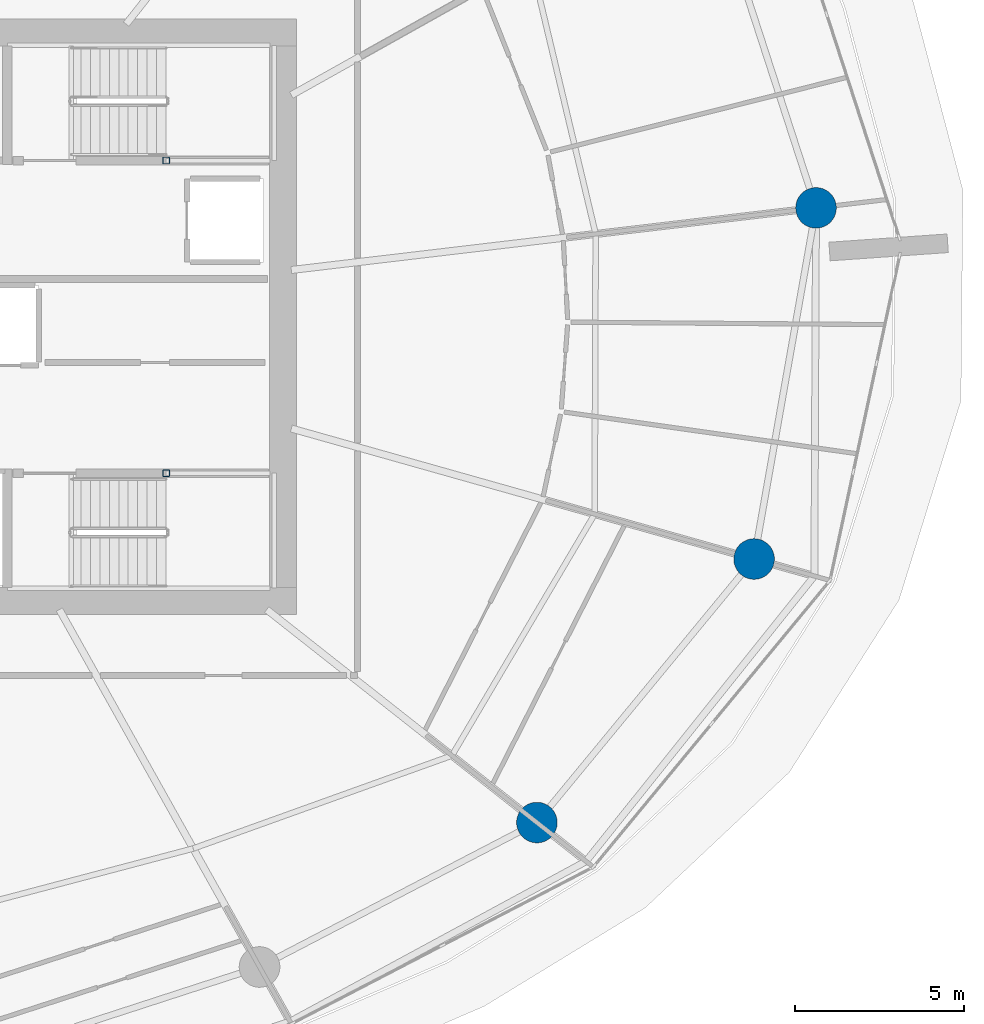
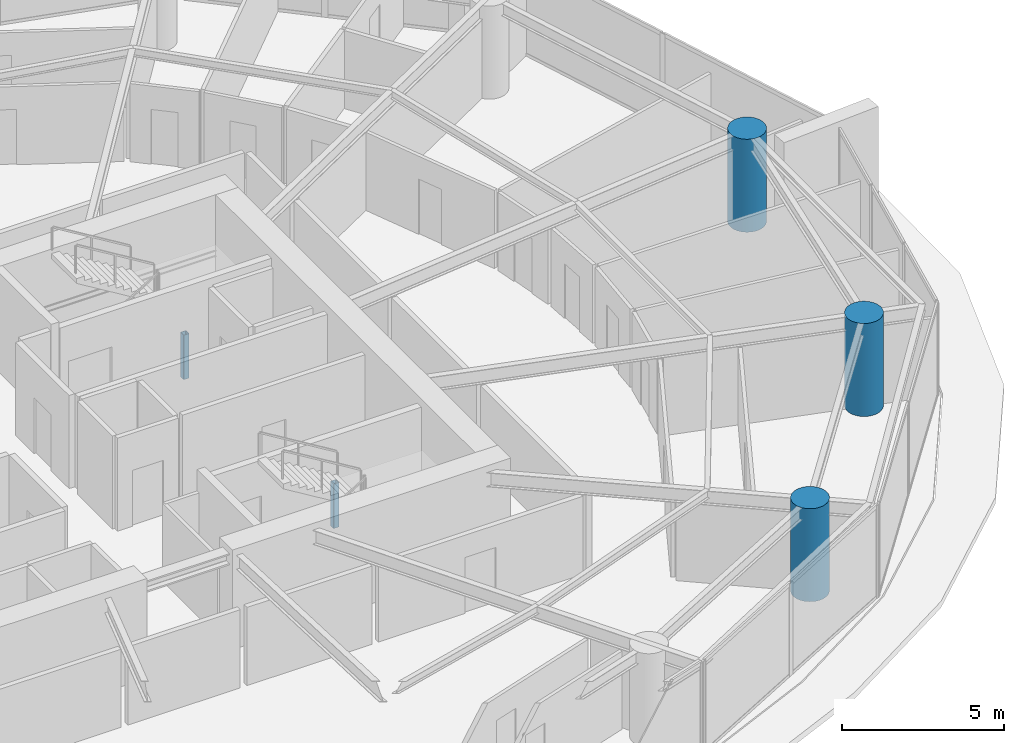
# One storey, part 3 of 17: 5 columns.
"""IFC4 building model written with IfcOpenShell, lengths in metres."""

from ifc_helpers import new_model, si_unit, direction, frame, origin, origin_2d, place, context, subcontext, project, spatial, hollow_rectangle, circle, extrude, material, material_profile, profile_set, type_object, element, save


model = new_model("IFC4")

# Units and contexts
model_context = context("Model", 3, precision=1e-05, world=origin(), true_north=direction((0.0, 1.0)))
body_context = subcontext(model_context, "Body", "Model", "MODEL_VIEW")
ifc_project = project(units=[si_unit("LENGTHUNIT", "METRE"), si_unit("AREAUNIT", "SQUARE_METRE"), si_unit("VOLUMEUNIT", "CUBIC_METRE"), si_unit("PLANEANGLEUNIT", "RADIAN"), si_unit("MASSUNIT", "GRAM", prefix="KILO")], contexts=[model_context])

# Site, building, storey
site_placement = place(None, origin())
site = spatial("IfcSite", under=ifc_project, at=site_placement, CompositionType="ELEMENT")
building_placement = place(site_placement, origin())
building = spatial("IfcBuilding", under=site, at=building_placement, Name="Kazma Halo Residences", CompositionType="ELEMENT")
storey_placement = place(building_placement, frame((0.0, 0.0, 75.14990234375)))
storey = spatial("IfcBuildingStorey", under=building, at=storey_placement, Name="L18", CompositionType="ELEMENT", Elevation=75.14990234375)

# Columns
ifc_material_1 = material(Name="Steel S355", Category="steel")
ifc_material_profile_1 = material_profile(ifc_material_1, hollow_rectangle(XDim=0.199951171875, YDim=0.199951171875, WallThickness=0.010009765625, InnerFilletRadius=0.010009765625, OuterFilletRadius=0.02001953125, at=origin_2d()), Name="SHS200x200x10")
ifc_profile_set_1 = profile_set([ifc_material_profile_1], Name="Steel S355")
column_type_1 = type_object("IfcColumnType", Name="COL-LP-SHS200", PredefinedType="COLUMN", material=ifc_profile_set_1)
for number, where, z_axis, x_axis, name in (
    (1, (56.0, 46.6201171875, 0.0), (0.0, 0.0, 1.0), (1.0, 0.0, 0.0), "L18 ST-02 landing pilaster 1"),
    (2, (56.0, 37.3798828125, 0.0), (0.0, 0.0, 1.0), (1.0, 0.0, 0.0), "L18 ST-03 landing pilaster 1"),
):
    element("IfcColumn", number, at=place(storey_placement, frame(where, z_axis=z_axis, x_axis=x_axis)), inside=storey, type_object=column_type_1, Name=name, PredefinedType="COLUMN", context=body_context, shape_type="SweptSolid", body=[
        extrude(hollow_rectangle(XDim=0.199951171875, YDim=0.199951171875, WallThickness=0.010009765625, InnerFilletRadius=0.010009765625, OuterFilletRadius=0.02001953125, at=origin_2d()), origin(), (0.0, 0.0, 1.0), 1.670166015625),
    ])
ifc_material_2 = material(Name="Concrete C80/95", Category="concrete")
ifc_material_profile_2 = material_profile(ifc_material_2, circle(Radius=0.60009765625, at=origin_2d()), Name="CIRC1200")
ifc_profile_set_2 = profile_set([ifc_material_profile_2], Name="Concrete C80/95")
column_type_2 = type_object("IfcColumnType", Name="COL-PERIM-1200", PredefinedType="COLUMN", material=ifc_profile_set_2)
for number, where, z_axis, x_axis, name in (
    (3, (66.9580078125, 27.0546875, 0.0), (0.0, 0.0, 1.0), (1.0, 0.0, 0.0), "L18 perimeter ring column P14"),
    (4, (73.376708984375, 34.843017578125, 0.0), (0.0, 0.0, 1.0), (1.0, 0.0, 0.0), "L18 perimeter ring column P15"),
    (5, (75.20654296875, 45.22021484375, 0.0), (0.0, 0.0, 1.0), (1.0, 0.0, 0.0), "L18 perimeter ring column P16"),
):
    element("IfcColumn", number, at=place(storey_placement, frame(where, z_axis=z_axis, x_axis=x_axis)), inside=storey, type_object=column_type_2, Name=name, PredefinedType="COLUMN", context=body_context, shape_type="SweptSolid", body=[
        extrude(circle(Radius=0.60009765625, at=origin_2d()), origin(), (0.0, 0.0, 1.0), 3.5),
    ])

save(model, "model.ifc")
